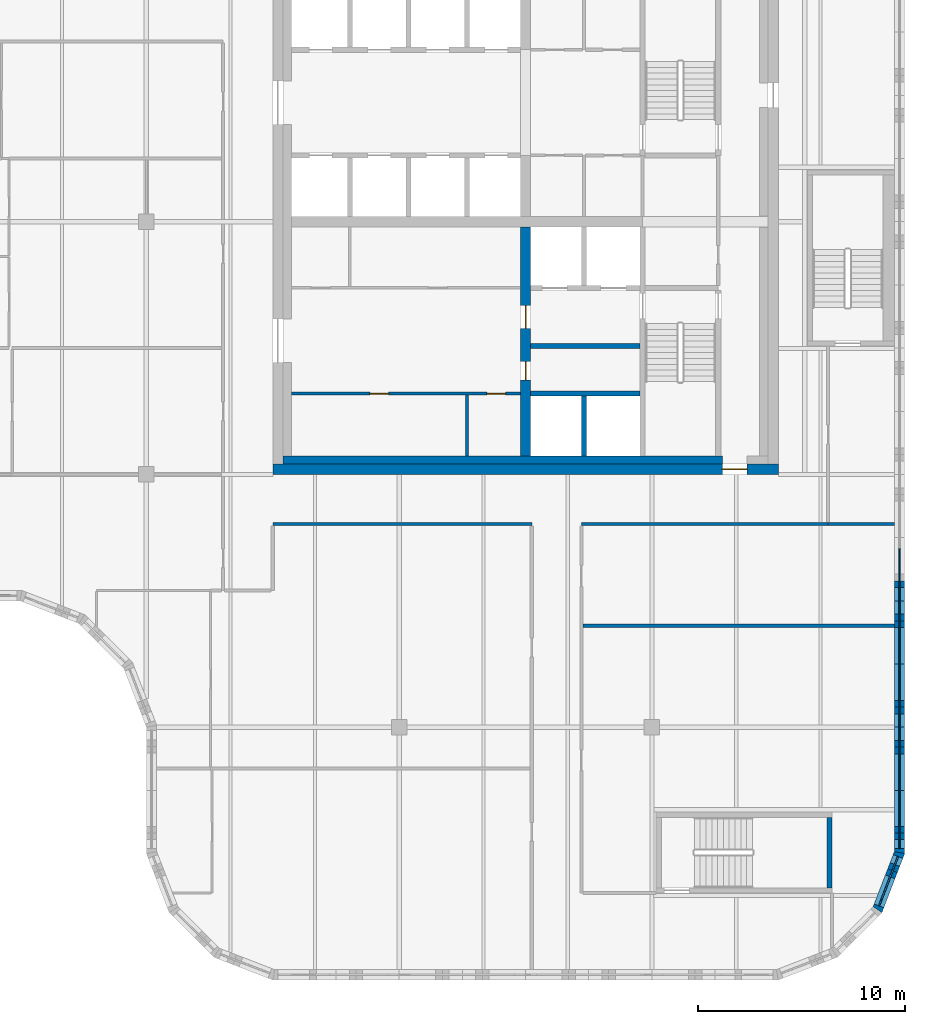
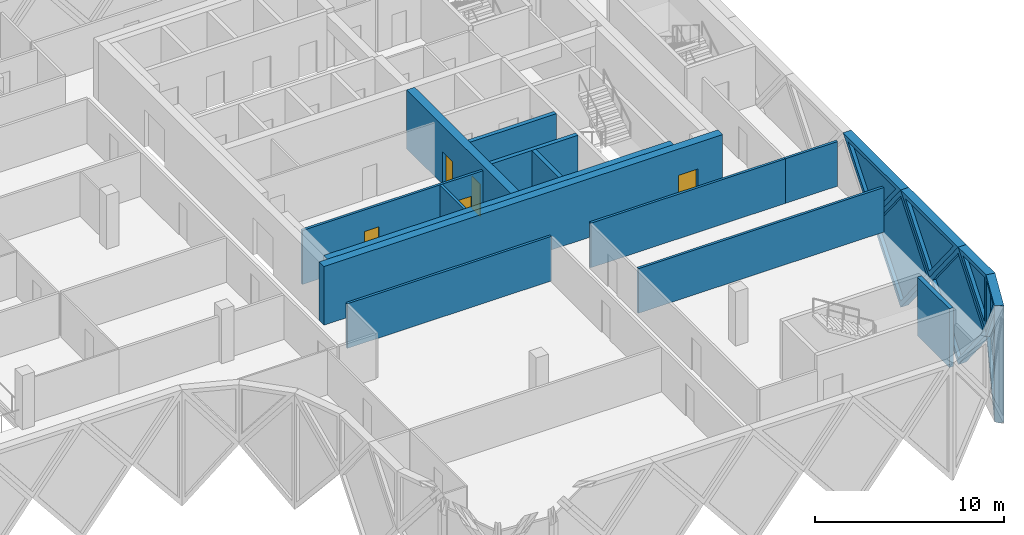
# One storey, part 7 of 15: 20 walls, 7 plates, 5 doors, 12 openings.
"""IFC4 building model written with IfcOpenShell, lengths in metres."""

from ifc_helpers import new_model, si_unit, direction, frame, frame_2d, origin, place, context, subcontext, project, spatial, polyline, rectangle, outline, extrude, faceted_brep, source, transform, mapped, material, layer, layer_set, type_object, element, fill, save


model = new_model("IFC4")

# Units and contexts
model_context = context("Model", 3, precision=1e-05, world=origin(), true_north=direction((0.0, 1.0)))
body_context = subcontext(model_context, "Body", "Model", "MODEL_VIEW")
ifc_project = project(units=[si_unit("LENGTHUNIT", "METRE"), si_unit("AREAUNIT", "SQUARE_METRE"), si_unit("VOLUMEUNIT", "CUBIC_METRE"), si_unit("PLANEANGLEUNIT", "RADIAN"), si_unit("MASSUNIT", "GRAM", prefix="KILO")], contexts=[model_context])

# Site, building, storey
site_placement = place(None, origin())
site = spatial("IfcSite", under=ifc_project, at=site_placement, CompositionType="ELEMENT")
building_placement = place(site_placement, origin())
building = spatial("IfcBuilding", under=site, at=building_placement, Name="Tessera Gate Towers", CompositionType="ELEMENT")
storey_placement = place(building_placement, frame((0.0, 0.0, 228.300048828125)))
storey = spatial("IfcBuildingStorey", under=building, at=storey_placement, Name="L57", CompositionType="ELEMENT", Elevation=228.300048828125)

# Walls
ifc_material_1 = material(Name="Concrete C40/50", Category="concrete")
ifc_layer_1 = layer(ifc_material_1, 0.25)
ifc_layer_set_1 = layer_set([ifc_layer_1], Name="CORE ENCLOSURE WALL 250")
wall_type_1 = type_object("IfcWallType", Name="CORE ENCLOSURE WALL 250", PredefinedType="SOLIDWALL", material=ifc_layer_set_1)
for number, where, z_axis, x_axis, name in (
    (1, (42.949951171875, 28.300048828125, 0.0), (0.0, 0.0, 1.0), (1.0, 0.0, 0.0), "L57 shaft and stair enclosure wall"),
    (2, (42.949951171875, 30.60009765625, 0.0), (0.0, 0.0, 1.0), (1.0, 0.0, 0.0), "L57 shaft and stair enclosure wall"),
):
    element("IfcWall", number, at=place(storey_placement, frame(where, z_axis=z_axis, x_axis=x_axis)), inside=storey, type_object=wall_type_1, Name=name, PredefinedType="SOLIDWALL", context=body_context, shape_type="SweptSolid", body=[
        extrude(rectangle(XDim=5.275146484375, YDim=0.25, at=frame_2d((2.6376953125, 0.0))), origin(), (0.0, 0.0, 1.0), 3.800048828125),
    ])
wall_1_placement = place(storey_placement, frame((45.52490234375, 25.300048828125, 0.0), z_axis=(0.0, 0.0, 1.0), x_axis=(0.0, 1.0, 0.0)))
element("IfcWall", 3, at=wall_1_placement, inside=storey, type_object=wall_type_1, Name="L57 shaft and stair enclosure wall", PredefinedType="SOLIDWALL", context=body_context, shape_type="SweptSolid", body=[
    extrude(rectangle(XDim=2.875, YDim=0.25, at=frame_2d((1.4375, 0.0))), origin(), (0.0, 0.0, 1.0), 3.800048828125),
])
wall_2_placement = place(storey_placement, frame((57.375, 7.85009765625, 0.0), z_axis=(0.0, 0.0, 1.0), x_axis=(0.0, -1.0, 0.0)))
element("IfcWall", 4, at=wall_2_placement, inside=storey, type_object=wall_type_1, Name="L57 ST4 enclosure wall", PredefinedType="SOLIDWALL", context=body_context, shape_type="SweptSolid", body=[
    extrude(rectangle(XDim=3.400146484375, YDim=0.25, at=frame_2d((1.7001953125, 0.0))), origin(), (0.0, 0.0, 1.0), 3.800048828125),
])

# Wall, opening, door
ifc_material_2 = material(Name="Concrete C50/60", Category="concrete")
ifc_layer_2 = layer(ifc_material_2, 0.5)
ifc_layer_set_2 = layer_set([ifc_layer_2], Name="CORE SHEAR WALL 500 C50/60")
wall_type_2 = type_object("IfcWallType", Name="CORE SHEAR WALL 500 C50/60", PredefinedType="SHEAR", material=ifc_layer_set_2)
wall_3_placement = place(storey_placement, frame((54.89990234375, 24.64990234375, 0.0), z_axis=(0.0, 0.0, 1.0), x_axis=(-1.0, 0.0, 0.0)))
wall_3 = element("IfcWall", 5, at=wall_3_placement, inside=storey, type_object=wall_type_2, Name="Core wall S L57", PredefinedType="SHEAR", context=body_context, shape_type="SweptSolid", body=[
    extrude(rectangle(XDim=24.39990234375, YDim=0.5, at=frame_2d((12.199951171875, 0.0))), origin(), (0.0, 0.0, 1.0), 3.800048828125),
])
shared_shape_1 = source(origin(), body_context, "Body", "SweptSolid", [
    extrude(rectangle(XDim=1.199951171875, YDim=2.10009765625, at=frame_2d((0.60009765625, 1.050048828125))), frame((0.0, 0.260009765625, 0.0), z_axis=(0.0, -1.0, 0.0), x_axis=(1.0, 0.0, 0.0)), (0.0, 0.0, 1.0), 0.52001953125),
])
opening_1_placement = place(wall_3_placement, frame((1.5, 0.0, 0.0)))
opening_1 = element("IfcOpeningElement", 6, at=opening_1_placement, cuts=wall_3, Name="Opening ED-T1-34-01", PredefinedType="OPENING", context=body_context, shape_type="MappedRepresentation", body=[
    mapped(shared_shape_1, transform((0.0, 0.0, 0.0), scale=1.0)),
])
ifc_material_3 = material(Name="Hollow steel fire door", Category="steel")
door_type_1 = type_object("IfcDoorType", Name="CORE DOOR ED 1200x2100", OperationType="NOTDEFINED", PredefinedType="DOOR", material=ifc_material_3)
shared_shape_2 = source(origin(), body_context, "Body", "SweptSolid", [
    extrude(rectangle(XDim=1.199951171875, YDim=2.10009765625, at=frame_2d((0.60009765625, 1.050048828125))), frame((0.0, 0.02490234375, 0.0), z_axis=(0.0, -1.0, 0.0), x_axis=(1.0, 0.0, 0.0)), (0.0, 0.0, 1.0), 0.050048828125),
])
door_1_placement = place(opening_1_placement, origin())
door_1 = element("IfcDoor", 7, at=door_1_placement, inside=storey, type_object=door_type_1, Name="Core exit door", OperationType="SINGLE_SWING_LEFT", OverallHeight=2.10009765625, OverallWidth=1.199951171875, PredefinedType="DOOR", context=body_context, shape_type="MappedRepresentation", body=[
    mapped(shared_shape_2, transform((0.0, 0.0, 0.0), scale=1.0)),
])
fill(opening_1, door_1)

# Wall, openings, doors
ifc_material_4 = material(Name="Concrete C50/60", Category="concrete")
ifc_layer_3 = layer(ifc_material_4, 0.5)
ifc_layer_set_3 = layer_set([ifc_layer_3], Name="CORE SPINE WALL 500 C50/60")
wall_type_3 = type_object("IfcWallType", Name="CORE SPINE WALL 500 C50/60", PredefinedType="SHEAR", material=ifc_layer_set_3)
wall_4_placement = place(storey_placement, frame((42.699951171875, 36.35009765625, 0.0), z_axis=(0.0, 0.0, 1.0), x_axis=(0.0, -1.0, 0.0)))
wall_4 = element("IfcWall", 8, at=wall_4_placement, inside=storey, type_object=wall_type_3, Name="Core wall spine L57", PredefinedType="SHEAR", context=body_context, shape_type="SweptSolid", body=[
    extrude(rectangle(XDim=11.050048828125, YDim=0.5, at=frame_2d((5.52490234375, 0.0))), origin(), (0.0, 0.0, 1.0), 3.800048828125),
])
shared_shape_3 = source(origin(), body_context, "Body", "SweptSolid", [
    extrude(rectangle(XDim=0.89990234375, YDim=2.10009765625, at=frame_2d((0.449951171875, 1.050048828125))), frame((0.0, 0.260009765625, 0.0), z_axis=(0.0, -1.0, 0.0), x_axis=(1.0, 0.0, 0.0)), (0.0, 0.0, 1.0), 0.52001953125),
])
opening_2_placement = place(wall_4_placement, frame((6.5, 0.0, 0.0)))
opening_2 = element("IfcOpeningElement", 9, at=opening_2_placement, cuts=wall_4, Name="Opening RD-T1-34-05", PredefinedType="OPENING", context=body_context, shape_type="MappedRepresentation", body=[
    mapped(shared_shape_3, transform((0.0, 0.0, 0.0), scale=1.0)),
])
shared_shape_4 = source(origin(), body_context, "Body", "SweptSolid", [
    extrude(rectangle(XDim=1.10009765625, YDim=2.10009765625, at=frame_2d((0.550048828125, 1.050048828125))), frame((0.0, 0.260009765625, 0.0), z_axis=(0.0, -1.0, 0.0), x_axis=(1.0, 0.0, 0.0)), (0.0, 0.0, 1.0), 0.52001953125),
])
opening_3_placement = place(wall_4_placement, frame((3.800048828125, 0.0, 0.0)))
opening_3 = element("IfcOpeningElement", 10, at=opening_3_placement, cuts=wall_4, Name="Opening FD-T1-34-06", PredefinedType="OPENING", context=body_context, shape_type="MappedRepresentation", body=[
    mapped(shared_shape_4, transform((0.0, 0.0, 0.0), scale=1.0)),
])
ifc_material_5 = material(Name="Hollow steel fire door", Category="steel")
door_type_2 = type_object("IfcDoorType", Name="CORE DOOR RD 900x2100", OperationType="NOTDEFINED", PredefinedType="DOOR", material=ifc_material_5)
shared_shape_5 = source(origin(), body_context, "Body", "SweptSolid", [
    extrude(rectangle(XDim=0.89990234375, YDim=2.10009765625, at=frame_2d((0.449951171875, 1.050048828125))), frame((0.0, 0.02490234375, 0.0), z_axis=(0.0, -1.0, 0.0), x_axis=(1.0, 0.0, 0.0)), (0.0, 0.0, 1.0), 0.050048828125),
])
door_2_placement = place(opening_2_placement, origin())
door_2 = element("IfcDoor", 11, at=door_2_placement, inside=storey, type_object=door_type_2, Name="Core room door", OperationType="SINGLE_SWING_RIGHT", OverallHeight=2.10009765625, OverallWidth=0.89990234375, PredefinedType="DOOR", context=body_context, shape_type="MappedRepresentation", body=[
    mapped(shared_shape_5, transform((0.0, 0.0, 0.0), scale=1.0)),
])
fill(opening_2, door_2)
ifc_material_6 = material(Name="Hollow steel fire door", Category="steel")
door_type_3 = type_object("IfcDoorType", Name="CORE DOOR FD 1100x2100", OperationType="NOTDEFINED", PredefinedType="DOOR", material=ifc_material_6)
shared_shape_6 = source(origin(), body_context, "Body", "SweptSolid", [
    extrude(rectangle(XDim=1.10009765625, YDim=2.10009765625, at=frame_2d((0.550048828125, 1.050048828125))), frame((0.0, 0.02490234375, 0.0), z_axis=(0.0, -1.0, 0.0), x_axis=(1.0, 0.0, 0.0)), (0.0, 0.0, 1.0), 0.050048828125),
])
door_3_placement = place(opening_3_placement, origin())
door_3 = element("IfcDoor", 12, at=door_3_placement, inside=storey, type_object=door_type_3, Name="Fire-fighting lobby door", OperationType="SINGLE_SWING_LEFT", OverallHeight=2.10009765625, OverallWidth=1.10009765625, PredefinedType="DOOR", context=body_context, shape_type="MappedRepresentation", body=[
    mapped(shared_shape_6, transform((0.0, 0.0, 0.0), scale=1.0)),
])
fill(opening_3, door_3)

# Walls
ifc_material_7 = material(Name="Concrete C50/60", Category="concrete")
ifc_layer_4 = layer(ifc_material_7, 0.39990234375)
ifc_layer_set_4 = layer_set([ifc_layer_4], Name="CORE WALL THICKENING 400")
wall_type_4 = type_object("IfcWallType", Name="CORE WALL THICKENING 400", PredefinedType="SOLIDWALL", material=ifc_layer_set_4)
wall_5_placement = place(storey_placement, frame((31.0, 25.10009765625, 0.0), z_axis=(0.0, 0.0, 1.0), x_axis=(1.0, 0.0, 0.0)))
element("IfcWall", 13, at=wall_5_placement, inside=storey, type_object=wall_type_4, Name="Core wall thickening S L57", PredefinedType="SOLIDWALL", context=body_context, shape_type="SweptSolid", body=[
    extrude(rectangle(XDim=21.199951171875, YDim=0.39990234375, at=frame_2d((10.60009765625, 0.0))), origin(), (0.0, 0.0, 1.0), 3.800048828125),
])
ifc_material_8 = material(Name="Gypsum board on steel studs, mineral wool", Category="steel")
ifc_layer_5 = layer(ifc_material_8, 0.14990234375)
ifc_layer_set_5 = layer_set([ifc_layer_5], Name="CORRIDOR WALL 150")
wall_type_5 = type_object("IfcWallType", Name="CORRIDOR WALL 150", PredefinedType="PARTITIONING", material=ifc_layer_set_5)
wall_6_placement = place(storey_placement, frame((30.5, 22.0, 0.0), z_axis=(0.0, 0.0, 1.0), x_axis=(1.0, 0.0, 0.0)))
element("IfcWall", 14, at=wall_6_placement, inside=storey, type_object=wall_type_5, Name="T1-L57-PW-018", PredefinedType="PARTITIONING", context=body_context, shape_type="SweptSolid", body=[
    extrude(rectangle(XDim=12.5, YDim=0.14990234375, at=frame_2d((6.25, 0.0))), origin(), (0.0, 0.0, 1.0), 2.887939453125),
])
wall_7_placement = place(storey_placement, frame((45.39990234375, 22.0, 0.0), z_axis=(0.0, 0.0, 1.0), x_axis=(1.0, 0.0, 0.0)))
element("IfcWall", 15, at=wall_7_placement, inside=storey, type_object=wall_type_5, Name="T1-L57-PW-019", PredefinedType="PARTITIONING", context=body_context, shape_type="SweptSolid", body=[
    extrude(rectangle(XDim=11.900146484375, YDim=0.14990234375, at=frame_2d((5.9501953125, 0.0))), origin(), (0.0, 0.0, 1.0), 2.887939453125),
])

# Wall, openings, doors
ifc_material_9 = material(Name="Gypsum board on steel studs", Category="steel")
ifc_layer_6 = layer(ifc_material_9, 0.14990234375)
ifc_layer_set_6 = layer_set([ifc_layer_6], Name="SERVICE ROOM WALL 150")
wall_type_6 = type_object("IfcWallType", Name="SERVICE ROOM WALL 150", PredefinedType="PARTITIONING", material=ifc_layer_set_6)
wall_8_placement = place(storey_placement, frame((42.449951171875, 28.300048828125, 0.0), z_axis=(0.0, 0.0, 1.0), x_axis=(-1.0, 0.0, 0.0)))
wall_8 = element("IfcWall", 16, at=wall_8_placement, inside=storey, type_object=wall_type_6, Name="L57 service room wall", PredefinedType="PARTITIONING", context=body_context, shape_type="SweptSolid", body=[
    extrude(rectangle(XDim=11.050048828125, YDim=0.14990234375, at=frame_2d((5.52490234375, 0.0))), origin(), (0.0, 0.0, 1.0), 3.5),
])
shared_shape_7 = source(origin(), body_context, "Body", "SweptSolid", [
    extrude(rectangle(XDim=0.89990234375, YDim=2.10009765625, at=frame_2d((0.449951171875, 1.050048828125))), frame((0.0, 0.0849609375, 0.0), z_axis=(0.0, -1.0, 0.0), x_axis=(1.0, 0.0, 0.0)), (0.0, 0.0, 1.0), 0.169921875),
])
opening_4_placement = place(wall_8_placement, frame((6.362548828125, 0.0, 0.0)))
opening_4 = element("IfcOpeningElement", 17, at=opening_4_placement, cuts=wall_8, Name="Opening RD-T1-34-07", PredefinedType="OPENING", context=body_context, shape_type="MappedRepresentation", body=[
    mapped(shared_shape_7, transform((0.0, 0.0, 0.0), scale=1.0)),
])
opening_5_placement = place(wall_8_placement, frame((0.71240234375, 0.0, 0.0)))
opening_5 = element("IfcOpeningElement", 18, at=opening_5_placement, cuts=wall_8, Name="Opening RD-T1-34-08", PredefinedType="OPENING", context=body_context, shape_type="MappedRepresentation", body=[
    mapped(shared_shape_7, transform((0.0, 0.0, 0.0), scale=1.0)),
])
door_4_placement = place(opening_4_placement, origin())
door_4 = element("IfcDoor", 19, at=door_4_placement, inside=storey, type_object=door_type_2, Name="Core room door", OperationType="SINGLE_SWING_RIGHT", OverallHeight=2.10009765625, OverallWidth=0.89990234375, PredefinedType="DOOR", context=body_context, shape_type="MappedRepresentation", body=[
    mapped(shared_shape_5, transform((0.0, 0.0, 0.0), scale=1.0)),
])
fill(opening_4, door_4)
door_5_placement = place(opening_5_placement, origin())
door_5 = element("IfcDoor", 20, at=door_5_placement, inside=storey, type_object=door_type_2, Name="Core room door", OperationType="SINGLE_SWING_LEFT", OverallHeight=2.10009765625, OverallWidth=0.89990234375, PredefinedType="DOOR", context=body_context, shape_type="MappedRepresentation", body=[
    mapped(shared_shape_5, transform((0.0, 0.0, 0.0), scale=1.0)),
])
fill(opening_5, door_5)

# Walls
wall_9_placement = place(storey_placement, frame((39.875, 25.300048828125, 0.0), z_axis=(0.0, 0.0, 1.0), x_axis=(0.0, 1.0, 0.0)))
element("IfcWall", 21, at=wall_9_placement, inside=storey, type_object=wall_type_6, Name="L57 service room wall", PredefinedType="PARTITIONING", context=body_context, shape_type="SweptSolid", body=[
    extrude(rectangle(XDim=2.925048828125, YDim=0.14990234375, at=frame_2d((1.46240234375, 0.0))), origin(), (0.0, 0.0, 1.0), 3.5),
])
ifc_material_10 = material(Name="Gypsum board on steel studs, mineral wool", Category="steel")
ifc_layer_7 = layer(ifc_material_10, 0.14990234375)
ifc_layer_set_7 = layer_set([ifc_layer_7], Name="TENANCY WALL 150")
wall_type_7 = type_object("IfcWallType", Name="TENANCY WALL 150", PredefinedType="PARTITIONING", material=ifc_layer_set_7)
wall_10_placement = place(storey_placement, frame((45.47607421875, 17.10009765625, 0.0), z_axis=(0.0, 0.0, 1.0), x_axis=(1.0, 0.0, 0.0)))
element("IfcWall", 22, at=wall_10_placement, inside=storey, type_object=wall_type_7, Name="T1-L57-PW-011", PredefinedType="PARTITIONING", context=body_context, shape_type="SweptSolid", body=[
    extrude(rectangle(XDim=15.02392578125, YDim=0.14990234375, at=frame_2d((7.511962890625, 0.0))), origin(), (0.0, 0.0, 1.0), 2.887939453125),
])
wall_11_placement = place(storey_placement, frame((57.301025390625, 22.0, 0.0), z_axis=(0.0, 0.0, 1.0), x_axis=(1.0, 0.0, 0.0)))
element("IfcWall", 23, at=wall_11_placement, inside=storey, type_object=wall_type_7, Name="T1-L57-PW-020", PredefinedType="PARTITIONING", context=body_context, shape_type="SweptSolid", body=[
    extrude(rectangle(XDim=3.198974609375, YDim=0.14990234375, at=frame_2d((1.599609375, 0.0))), origin(), (0.0, 0.0, 1.0), 2.887939453125),
])

# Wall, opening, plate
ifc_material_11 = material(Name="Precast concrete C60/75 white", Category="concrete")
ifc_layer_8 = layer(ifc_material_11, 0.5)
ifc_layer_set_8 = layer_set([ifc_layer_8], Name="TS1 tessera")
wall_type_8 = type_object("IfcWallType", Name="TS1 tessera", PredefinedType="SOLIDWALL", material=ifc_layer_set_8)
shared_shape_8 = source(origin(), body_context, "Body", "Brep", [
    faceted_brep([(3.00341796875, -0.25, 0.0), (6.053466796875, -0.25, 3.800048828125), (3.00341796875, -0.25, 7.60009765625), (0.0, -0.25, 3.800048828125), (0.046630859375, 0.25, 3.85888671875), (3.00341796875, 0.25, 7.60009765625), (6.053466796875, 0.25, 3.800048828125), (3.00341796875, 0.25, 0.0), (0.046630859375, 0.25, 3.7412109375), (0.0, 0.0, 3.800048828125)], [[[0, 1, 2, 3]], [[4, 5, 6, 7, 8]], [[7, 6, 1, 0]], [[6, 5, 2, 1]], [[5, 4, 9, 3, 2]], [[8, 7, 0, 3, 9]], [[8, 9, 4]]]),
])
wall_12_placement = place(storey_placement, frame((60.75, 6.146484375, -3.800048828125), z_axis=(0.0, 0.0, 1.0), x_axis=(0.0, 1.0, 0.0)))
wall_12 = element("IfcWall", 24, at=wall_12_placement, inside=storey, type_object=wall_type_8, Name="Precast tessera T1 TS1-1015", PredefinedType="SOLIDWALL", context=body_context, shape_type="MappedRepresentation", body=[
    mapped(shared_shape_8, transform((0.0, 0.0, 0.0), scale=1.0)),
])
shared_shape_9 = source(origin(), body_context, "Body", "SweptSolid", [
    extrude(outline(polyline([(3.0048828125, 0.4013671875), (5.73291015625, 3.800048828125), (3.0048828125, 7.19873046875), (0.318603515625, 3.800048828125), (3.0048828125, 0.4013671875)])), frame((0.0, 0.260009765625, 0.0), z_axis=(0.0, -1.0, 0.0), x_axis=(1.0, 0.0, 0.0)), (0.0, 0.0, 1.0), 0.52001953125),
])
opening_6_placement = place(wall_12_placement, origin())
opening_6 = element("IfcOpeningElement", 25, at=opening_6_placement, cuts=wall_12, Name="Opening T1-PL2-2077", PredefinedType="OPENING", context=body_context, shape_type="MappedRepresentation", body=[
    mapped(shared_shape_9, transform((0.0, 0.0, 0.0), scale=1.0)),
])
ifc_material_12 = material(Name="Low-e laminated glass", Category="glass")
ifc_layer_9 = layer(ifc_material_12, 0.06005859375)
ifc_layer_set_9 = layer_set([ifc_layer_9], Name="PL2 rhombic pane")
plate_type_1 = type_object("IfcPlateType", Name="PL2 rhombic pane", PredefinedType="SHEET", material=ifc_layer_set_9)
shared_shape_10 = source(origin(), body_context, "Body", "SweptSolid", [
    extrude(outline(polyline([(3.0048828125, 0.4013671875), (5.73291015625, 3.800048828125), (3.0048828125, 7.19873046875), (0.318603515625, 3.800048828125), (3.0048828125, 0.4013671875)])), frame((0.0, 0.030029296875, 0.0), z_axis=(0.0, -1.0, 0.0), x_axis=(1.0, 0.0, 0.0)), (0.0, 0.0, 1.0), 0.06005859375),
])
plate_1_placement = place(opening_6_placement, origin())
plate_1 = element("IfcPlate", 26, at=plate_1_placement, inside=storey, type_object=plate_type_1, Name="Glass pane T1 PL2-2077", PredefinedType="SHEET", context=body_context, shape_type="MappedRepresentation", body=[
    mapped(shared_shape_10, transform((0.0, 0.0, 0.0), scale=1.0)),
])
fill(opening_6, plate_1)

shared_shape_11 = source(origin(), body_context, "Body", "SweptSolid", [
    extrude(outline(polyline([(3.050048828125, 0.0), (6.10009765625, 3.800048828125), (3.050048828125, 7.60009765625), (0.0, 3.800048828125), (3.050048828125, 0.0)])), frame((0.0, 0.25, 0.0), z_axis=(0.0, -1.0, 0.0), x_axis=(1.0, 0.0, 0.0)), (0.0, 0.0, 1.0), 0.5),
])
wall_13_placement = place(storey_placement, frame((60.75, 12.199951171875, -3.800048828125), z_axis=(0.0, 0.0, 1.0), x_axis=(0.0, 1.0, 0.0)))
wall_13 = element("IfcWall", 27, at=wall_13_placement, inside=storey, type_object=wall_type_8, Name="Precast tessera T1 TS1-1016", PredefinedType="SOLIDWALL", context=body_context, shape_type="MappedRepresentation", body=[
    mapped(shared_shape_11, transform((0.0, 0.0, 0.0), scale=1.0)),
])
shared_shape_12 = source(origin(), body_context, "Body", "SweptSolid", [
    extrude(outline(polyline([(3.050048828125, 0.3994140625), (5.779541015625, 3.800048828125), (3.050048828125, 7.20068359375), (0.320556640625, 3.800048828125), (3.050048828125, 0.3994140625)])), frame((0.0, 0.260009765625, 0.0), z_axis=(0.0, -1.0, 0.0), x_axis=(1.0, 0.0, 0.0)), (0.0, 0.0, 1.0), 0.52001953125),
])
opening_7_placement = place(wall_13_placement, origin())
opening_7 = element("IfcOpeningElement", 28, at=opening_7_placement, cuts=wall_13, Name="Opening T1-PL2-2078", PredefinedType="OPENING", context=body_context, shape_type="MappedRepresentation", body=[
    mapped(shared_shape_12, transform((0.0, 0.0, 0.0), scale=1.0)),
])
shared_shape_13 = source(origin(), body_context, "Body", "SweptSolid", [
    extrude(outline(polyline([(3.050048828125, 0.3994140625), (5.779541015625, 3.800048828125), (3.050048828125, 7.20068359375), (0.320556640625, 3.800048828125), (3.050048828125, 0.3994140625)])), frame((0.0, 0.030029296875, 0.0), z_axis=(0.0, -1.0, 0.0), x_axis=(1.0, 0.0, 0.0)), (0.0, 0.0, 1.0), 0.06005859375),
])
plate_2_placement = place(opening_7_placement, origin())
plate_2 = element("IfcPlate", 29, at=plate_2_placement, inside=storey, type_object=plate_type_1, Name="Glass pane T1 PL2-2078", PredefinedType="SHEET", context=body_context, shape_type="MappedRepresentation", body=[
    mapped(shared_shape_13, transform((0.0, 0.0, 0.0), scale=1.0)),
])
fill(opening_7, plate_2)

ifc_material_13 = material(Name="Precast concrete C60/75 white", Category="concrete")
ifc_layer_10 = layer(ifc_material_13, 0.5)
ifc_layer_set_10 = layer_set([ifc_layer_10], Name="TS3 corner tessera")
wall_type_9 = type_object("IfcWallType", Name="TS3 corner tessera", PredefinedType="SOLIDWALL", material=ifc_layer_set_10)
shared_shape_14 = source(origin(), body_context, "Body", "Brep", [
    faceted_brep([(0.052978515625, -0.25, 0.0), (3.00341796875, -0.25, 3.800048828125), (0.052978515625, -0.25, 7.60009765625), (0.0, -0.25, 7.53173828125), (0.0, -0.25, 0.068359375), (0.10595703125, 0.25, 7.531982421875), (2.95703125, 0.25, 3.85986328125), (2.95703125, 0.25, 3.740234375), (0.10595703125, 0.25, 0.068115234375), (3.00341796875, 0.00048828125, 3.800048828125), (0.052978515625, 0.0, 0.0), (0.052978515625, 0.0, 7.60009765625)], [[[0, 1, 2, 3, 4]], [[5, 6, 7, 8]], [[8, 7, 9, 1, 0, 10]], [[6, 5, 11, 2, 1, 9]], [[3, 2, 11]], [[10, 0, 4]], [[8, 10, 4, 3, 11, 5]], [[9, 7, 6]]]),
])
wall_14_placement = place(storey_placement, frame((59.6689453125, 3.34423828125, -3.800048828125), z_axis=(0.0, 0.0, 1.0), x_axis=(0.35992665181, 0.932980602862, 0.0)))
wall_14 = element("IfcWall", 30, at=wall_14_placement, inside=storey, type_object=wall_type_9, Name="Precast corner tessera T1 TS3-1326", PredefinedType="SOLIDWALL", context=body_context, shape_type="MappedRepresentation", body=[
    mapped(shared_shape_14, transform((0.0, 0.0, 0.0), scale=1.0)),
])
shared_shape_15 = source(origin(), body_context, "Body", "SweptSolid", [
    extrude(outline(polyline([(0.2529296875, 0.665283203125), (2.68701171875, 3.800048828125), (0.2529296875, 6.934814453125), (0.2529296875, 0.665283203125)])), frame((0.0, 0.260009765625, 0.0), z_axis=(0.0, -1.0, 0.0), x_axis=(1.0, 0.0, 0.0)), (0.0, 0.0, 1.0), 0.52001953125),
])
opening_8_placement = place(wall_14_placement, origin())
opening_8 = element("IfcOpeningElement", 31, at=opening_8_placement, cuts=wall_14, Name="Opening T1-PL2-2076", PredefinedType="OPENING", context=body_context, shape_type="MappedRepresentation", body=[
    mapped(shared_shape_15, transform((0.0, 0.0, 0.0), scale=1.0)),
])
shared_shape_16 = source(origin(), body_context, "Body", "SweptSolid", [
    extrude(outline(polyline([(0.2529296875, 0.665283203125), (2.68701171875, 3.800048828125), (0.2529296875, 6.934814453125), (0.2529296875, 0.665283203125)])), frame((0.0, 0.030029296875, 0.0), z_axis=(0.0, -1.0, 0.0), x_axis=(1.0, 0.0, 0.0)), (0.0, 0.0, 1.0), 0.06005859375),
])
plate_3_placement = place(opening_8_placement, origin())
plate_3 = element("IfcPlate", 32, at=plate_3_placement, inside=storey, type_object=plate_type_1, Name="Glass pane T1 PL2-2076", PredefinedType="SHEET", context=body_context, shape_type="MappedRepresentation", body=[
    mapped(shared_shape_16, transform((0.0, 0.0, 0.0), scale=1.0)),
])
fill(opening_8, plate_3)

shared_shape_17 = source(origin(), body_context, "Body", "Brep", [
    faceted_brep([(0.046630859375, -0.25, 0.0), (3.050048828125, -0.25, 3.800048828125), (0.0, -0.25, 3.800048828125), (0.0, -0.25, 0.06005859375), (0.09326171875, 0.25, 3.800048828125), (3.050048828125, 0.25, 3.800048828125), (0.09326171875, 0.25, 0.058837890625), (0.046630859375, 0.0, 0.0)], [[[0, 1, 2, 3]], [[4, 5, 6]], [[6, 5, 1, 0, 7]], [[5, 4, 2, 1]], [[7, 0, 3]], [[6, 7, 3, 2, 4]]]),
])
wall_15_placement = place(storey_placement, frame((60.75, 6.099853515625, 0.0), z_axis=(0.0, 0.0, 1.0), x_axis=(0.0, 1.0, 0.0)))
wall_15 = element("IfcWall", 33, at=wall_15_placement, inside=storey, type_object=wall_type_9, Name="Precast corner tessera T1 TS3-1348", PredefinedType="SOLIDWALL", context=body_context, shape_type="MappedRepresentation", body=[
    mapped(shared_shape_17, transform((0.0, 0.0, 0.0), scale=1.0)),
])
shared_shape_18 = source(origin(), body_context, "Body", "SweptSolid", [
    extrude(outline(polyline([(0.24658203125, 0.65625), (2.533935546875, 3.550048828125), (0.24658203125, 3.550048828125), (0.24658203125, 0.65625)])), frame((0.0, 0.260009765625, 0.0), z_axis=(0.0, -1.0, 0.0), x_axis=(1.0, 0.0, 0.0)), (0.0, 0.0, 1.0), 0.52001953125),
])
opening_9_placement = place(wall_15_placement, origin())
opening_9 = element("IfcOpeningElement", 34, at=opening_9_placement, cuts=wall_15, Name="Opening T1-PL1-0524", PredefinedType="OPENING", context=body_context, shape_type="MappedRepresentation", body=[
    mapped(shared_shape_18, transform((0.0, 0.0, 0.0), scale=1.0)),
])
ifc_material_14 = material(Name="Low-e laminated glass", Category="glass")
ifc_layer_11 = layer(ifc_material_14, 0.06005859375)
ifc_layer_set_11 = layer_set([ifc_layer_11], Name="PL1 triangular pane")
plate_type_2 = type_object("IfcPlateType", Name="PL1 triangular pane", PredefinedType="SHEET", material=ifc_layer_set_11)
shared_shape_19 = source(origin(), body_context, "Body", "SweptSolid", [
    extrude(outline(polyline([(0.24658203125, 0.65625), (2.533935546875, 3.550048828125), (0.24658203125, 3.550048828125), (0.24658203125, 0.65625)])), frame((0.0, 0.030029296875, 0.0), z_axis=(0.0, -1.0, 0.0), x_axis=(1.0, 0.0, 0.0)), (0.0, 0.0, 1.0), 0.06005859375),
])
plate_4_placement = place(opening_9_placement, origin())
plate_4 = element("IfcPlate", 35, at=plate_4_placement, inside=storey, type_object=plate_type_2, Name="Glass pane T1 PL1-0524", PredefinedType="SHEET", context=body_context, shape_type="MappedRepresentation", body=[
    mapped(shared_shape_19, transform((0.0, 0.0, 0.0), scale=1.0)),
])
fill(opening_9, plate_4)

ifc_material_15 = material(Name="Precast concrete C60/75 white", Category="concrete")
ifc_layer_12 = layer(ifc_material_15, 0.5)
ifc_layer_set_12 = layer_set([ifc_layer_12], Name="TS2 half tessera")
wall_type_10 = type_object("IfcWallType", Name="TS2 half tessera", PredefinedType="SOLIDWALL", material=ifc_layer_set_12)
shared_shape_20 = source(origin(), body_context, "Body", "SweptSolid", [
    extrude(outline(polyline([(3.050048828125, 0.0), (6.10009765625, 3.800048828125), (0.0, 3.800048828125), (3.050048828125, 0.0)])), frame((0.0, 0.25, 0.0), z_axis=(0.0, -1.0, 0.0), x_axis=(1.0, 0.0, 0.0)), (0.0, 0.0, 1.0), 0.5),
])
wall_16_placement = place(storey_placement, frame((60.75, 9.14990234375, 0.0), z_axis=(0.0, 0.0, 1.0), x_axis=(0.0, 1.0, 0.0)))
wall_16 = element("IfcWall", 36, at=wall_16_placement, inside=storey, type_object=wall_type_10, Name="Precast half tessera T1 TS2-0257", PredefinedType="SOLIDWALL", context=body_context, shape_type="MappedRepresentation", body=[
    mapped(shared_shape_20, transform((0.0, 0.0, 0.0), scale=1.0)),
])
shared_shape_21 = source(origin(), body_context, "Body", "SweptSolid", [
    extrude(outline(polyline([(3.050048828125, 0.3994140625), (5.578857421875, 3.550048828125), (0.521240234375, 3.550048828125), (3.050048828125, 0.3994140625)])), frame((0.0, 0.260009765625, 0.0), z_axis=(0.0, -1.0, 0.0), x_axis=(1.0, 0.0, 0.0)), (0.0, 0.0, 1.0), 0.52001953125),
])
opening_10_placement = place(wall_16_placement, origin())
opening_10 = element("IfcOpeningElement", 37, at=opening_10_placement, cuts=wall_16, Name="Opening T1-PL1-0525", PredefinedType="OPENING", context=body_context, shape_type="MappedRepresentation", body=[
    mapped(shared_shape_21, transform((0.0, 0.0, 0.0), scale=1.0)),
])
shared_shape_22 = source(origin(), body_context, "Body", "SweptSolid", [
    extrude(outline(polyline([(3.050048828125, 0.3994140625), (5.578857421875, 3.550048828125), (0.521240234375, 3.550048828125), (3.050048828125, 0.3994140625)])), frame((0.0, 0.030029296875, 0.0), z_axis=(0.0, -1.0, 0.0), x_axis=(1.0, 0.0, 0.0)), (0.0, 0.0, 1.0), 0.06005859375),
])
plate_5_placement = place(opening_10_placement, origin())
plate_5 = element("IfcPlate", 38, at=plate_5_placement, inside=storey, type_object=plate_type_2, Name="Glass pane T1 PL1-0525", PredefinedType="SHEET", context=body_context, shape_type="MappedRepresentation", body=[
    mapped(shared_shape_22, transform((0.0, 0.0, 0.0), scale=1.0)),
])
fill(opening_10, plate_5)

wall_17_placement = place(storey_placement, frame((60.75, 15.25, 0.0), z_axis=(0.0, 0.0, 1.0), x_axis=(0.0, 1.0, 0.0)))
wall_17 = element("IfcWall", 39, at=wall_17_placement, inside=storey, type_object=wall_type_10, Name="Precast half tessera T1 TS2-0258", PredefinedType="SOLIDWALL", context=body_context, shape_type="MappedRepresentation", body=[
    mapped(shared_shape_20, transform((0.0, 0.0, 0.0), scale=1.0)),
])
opening_11_placement = place(wall_17_placement, origin())
opening_11 = element("IfcOpeningElement", 40, at=opening_11_placement, cuts=wall_17, Name="Opening T1-PL1-0526", PredefinedType="OPENING", context=body_context, shape_type="MappedRepresentation", body=[
    mapped(shared_shape_21, transform((0.0, 0.0, 0.0), scale=1.0)),
])
plate_6_placement = place(opening_11_placement, origin())
plate_6 = element("IfcPlate", 41, at=plate_6_placement, inside=storey, type_object=plate_type_2, Name="Glass pane T1 PL1-0526", PredefinedType="SHEET", context=body_context, shape_type="MappedRepresentation", body=[
    mapped(shared_shape_22, transform((0.0, 0.0, 0.0), scale=1.0)),
])
fill(opening_11, plate_6)

shared_shape_23 = source(origin(), body_context, "Body", "Brep", [
    faceted_brep([(2.950439453125, -0.25, 0.0), (2.9970703125, -0.25, 0.05908203125), (2.9970703125, -0.25, 3.800048828125), (0.0, -0.25, 3.800048828125), (0.052978515625, 0.25, 3.800048828125), (2.904052734375, 0.25, 3.800048828125), (2.904052734375, 0.25, 0.059814453125), (0.052978515625, 0.25, 3.73193359375), (2.950439453125, 0.00048828125, 0.0), (0.0, 0.0, 3.800048828125)], [[[0, 1, 2, 3]], [[4, 5, 6, 7]], [[1, 0, 8]], [[5, 4, 9, 3, 2]], [[7, 6, 8, 0, 3, 9]], [[7, 9, 4]], [[1, 8, 6, 5, 2]]]),
])
wall_18_placement = place(storey_placement, frame((59.68798828125, 3.393798828125, 0.0), z_axis=(0.0, 0.0, 1.0), x_axis=(0.359972353723, 0.932962970624, 0.0)))
wall_18 = element("IfcWall", 42, at=wall_18_placement, inside=storey, type_object=wall_type_9, Name="Precast corner tessera T1 TS3-1347", PredefinedType="SOLIDWALL", context=body_context, shape_type="MappedRepresentation", body=[
    mapped(shared_shape_23, transform((0.0, 0.0, 0.0), scale=1.0)),
])
shared_shape_24 = source(origin(), body_context, "Body", "SweptSolid", [
    extrude(outline(polyline([(2.75048828125, 3.550048828125), (0.5107421875, 3.550048828125), (2.75048828125, 0.665283203125), (2.75048828125, 3.550048828125)])), frame((0.0, 0.260009765625, 0.0), z_axis=(0.0, -1.0, 0.0), x_axis=(1.0, 0.0, 0.0)), (0.0, 0.0, 1.0), 0.52001953125),
])
opening_12_placement = place(wall_18_placement, origin())
opening_12 = element("IfcOpeningElement", 43, at=opening_12_placement, cuts=wall_18, Name="Opening T1-PL1-0523", PredefinedType="OPENING", context=body_context, shape_type="MappedRepresentation", body=[
    mapped(shared_shape_24, transform((0.0, 0.0, 0.0), scale=1.0)),
])
shared_shape_25 = source(origin(), body_context, "Body", "SweptSolid", [
    extrude(outline(polyline([(2.75048828125, 3.550048828125), (0.5107421875, 3.550048828125), (2.75048828125, 0.665283203125), (2.75048828125, 3.550048828125)])), frame((0.0, 0.030029296875, 0.0), z_axis=(0.0, -1.0, 0.0), x_axis=(1.0, 0.0, 0.0)), (0.0, 0.0, 1.0), 0.06005859375),
])
plate_7_placement = place(opening_12_placement, origin())
plate_7 = element("IfcPlate", 44, at=plate_7_placement, inside=storey, type_object=plate_type_2, Name="Glass pane T1 PL1-0523", PredefinedType="SHEET", context=body_context, shape_type="MappedRepresentation", body=[
    mapped(shared_shape_25, transform((0.0, 0.0, 0.0), scale=1.0)),
])
fill(opening_12, plate_7)

save(model, "model.ifc")
